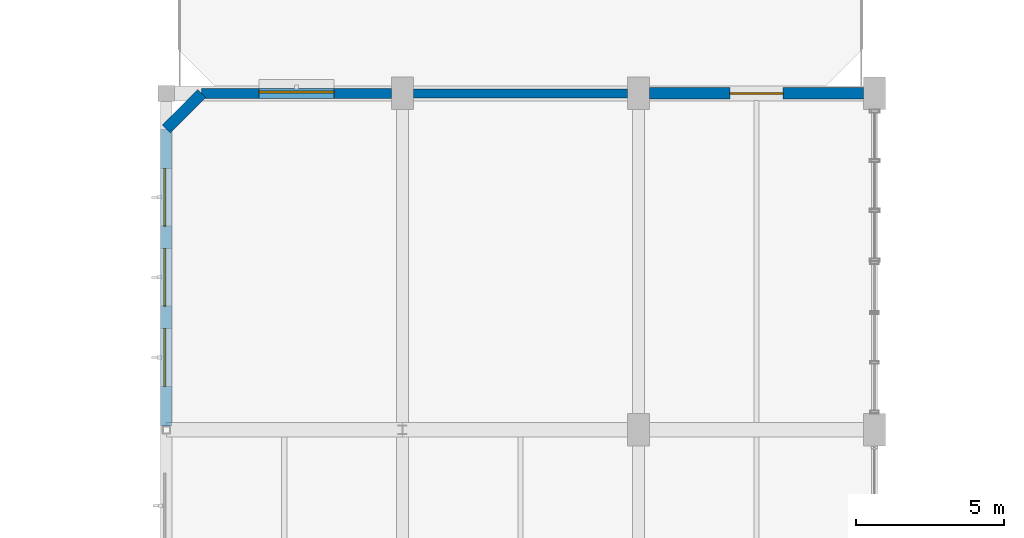
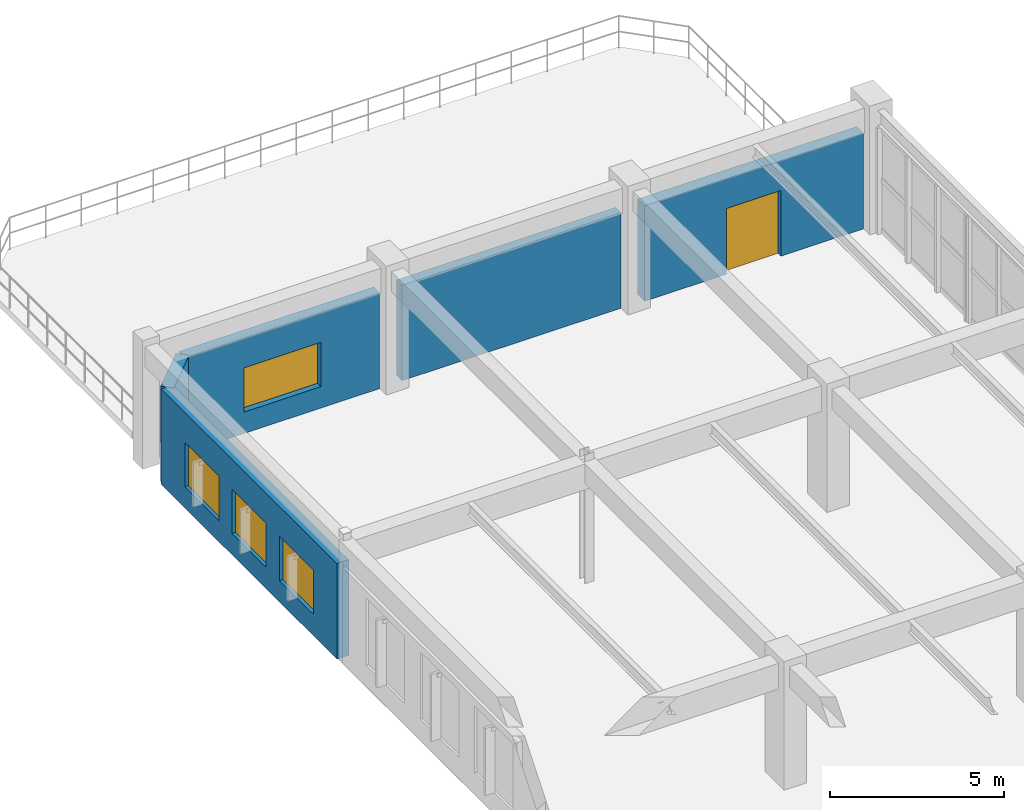
# One storey, part 68 of 80: 5 walls, 4 windows, 1 door, 5 openings.
"""IFC4 building model written with IfcOpenShell, lengths in metres."""

from ifc_helpers import new_model, si_unit, direction, frame, frame_2d, origin, place, context, subcontext, project, spatial, rectangle, extrude, material, layer, layer_set, type_object, element, fill, save


model = new_model("IFC4")

# Units and contexts
model_context = context("Model", 3, precision=1e-05, world=origin(), true_north=direction((0.0, 1.0)))
body_context = subcontext(model_context, "Body", "Model", "MODEL_VIEW")
ifc_project = project(units=[si_unit("LENGTHUNIT", "METRE"), si_unit("AREAUNIT", "SQUARE_METRE"), si_unit("VOLUMEUNIT", "CUBIC_METRE"), si_unit("PLANEANGLEUNIT", "RADIAN"), si_unit("MASSUNIT", "GRAM", prefix="KILO"), si_unit("POWERUNIT", "WATT"), si_unit("THERMODYNAMICTEMPERATUREUNIT", "KELVIN")], contexts=[model_context])

# Site, building, storey
site_placement = place(None, origin())
site = spatial("IfcSite", under=ifc_project, at=site_placement, CompositionType="ELEMENT")
building_placement = place(site_placement, origin())
building = spatial("IfcBuilding", under=site, at=building_placement, Name="Kelmbourne Parkland Aquatics Centre", CompositionType="ELEMENT")
storey_placement = place(building_placement, frame((0.0, 0.0, 10.199951171875)))
storey = spatial("IfcBuildingStorey", under=building, at=storey_placement, Name="L02", CompositionType="ELEMENT", Elevation=10.199951171875)

# Wall
ifc_material_1 = material(Name="Russet clinker clay brickwork", Category="masonry")
ifc_layer_1 = layer(ifc_material_1, 0.31005859375)
ifc_layer_set_1 = layer_set([ifc_layer_1], Name="Russet clinker clay brickwork")
wall_type_1 = type_object("IfcWallType", Name="W-EXT-310", PredefinedType="STANDARD", material=ifc_layer_set_1)
wall_1_placement = place(storey_placement, frame((24.376953125, 80.60009765625, 0.0), z_axis=(0.0, 0.0, 1.0), x_axis=(1.0, 0.0, 0.0)))
element("IfcWall", 1, at=wall_1_placement, inside=storey, type_object=wall_type_1, Name="Exterior polychrome brick wall EW-L02-107", PredefinedType="STANDARD", context=body_context, shape_type="SweptSolid", body=[
    extrude(rectangle(XDim=7.24609375, YDim=0.31005859375, at=frame_2d((3.623046875, 0.0))), origin(), (0.0, 0.0, 1.0), 3.344970703125),
])

# Wall, opening, window
ifc_material_2 = material(Name="Polychrome glazed brick header coursework", Category="masonry")
ifc_layer_2 = layer(ifc_material_2, 0.35009765625)
ifc_layer_set_2 = layer_set([ifc_layer_2], Name="Polychrome glazed brick header coursework")
wall_type_2 = type_object("IfcWallType", Name="W-EXT-350", PredefinedType="STANDARD", material=ifc_layer_set_2)
wall_2_placement = place(storey_placement, frame((17.199951171875, 80.60009765625, 0.0), z_axis=(0.0, 0.0, 1.0), x_axis=(1.0, 0.0, 0.0)))
wall_2 = element("IfcWall", 2, at=wall_2_placement, inside=storey, type_object=wall_type_2, Name="Exterior polychrome brick wall EW-L02-106", PredefinedType="STANDARD", context=body_context, shape_type="SweptSolid", body=[
    extrude(rectangle(XDim=6.423095703125, YDim=0.35009765625, at=frame_2d((3.21142578125, 0.0))), origin(), (0.0, 0.0, 1.0), 3.344970703125),
])
opening_1_placement = place(wall_2_placement, frame((1.9365234375, 0.0, 0.75)))
opening_1 = element("IfcOpeningElement", 3, at=opening_1_placement, cuts=wall_2, Name="Opening W24", PredefinedType="OPENING", context=body_context, shape_type="SweptSolid", body=[
    extrude(rectangle(XDim=2.550048828125, YDim=1.550048828125, at=frame_2d((1.27490234375, 0.77490234375))), frame((0.0, 0.18701171875, 0.0), z_axis=(0.0, -1.0, 0.0), x_axis=(1.0, 0.0, 0.0)), (0.0, 0.0, 1.0), 0.3740234375),
])
ifc_material_3 = material(Name="Thermally broken anodised aluminium window with low-e glass", Category="aluminium")
ifc_layer_3 = layer(ifc_material_3, 0.090087890625)
ifc_layer_set_3 = layer_set([ifc_layer_3], Name="Thermally broken anodised aluminium window with low-e glass")
window_type_1 = type_object("IfcWindowType", Name="WN-24", PartitioningType="TRIPLE_PANEL_VERTICAL", PredefinedType="WINDOW", material=ifc_layer_set_3)
window_1_placement = place(opening_1_placement, origin())
window_1 = element("IfcWindow", 4, at=window_1_placement, inside=storey, type_object=window_type_1, Name="Deep-reveal masonry window W24", OverallHeight=1.550048828125, OverallWidth=2.550048828125, PartitioningType="TRIPLE_PANEL_VERTICAL", PredefinedType="WINDOW", context=body_context, shape_type="SweptSolid", body=[
    extrude(rectangle(XDim=2.550048828125, YDim=1.550048828125, at=frame_2d((1.27490234375, 0.77490234375))), frame((0.0, 0.080078125, 0.0), z_axis=(0.0, -1.0, 0.0), x_axis=(1.0, 0.0, 0.0)), (0.0, 0.0, 1.0), 0.06005859375),
])
fill(opening_1, window_1)

# Wall, openings, windows
ifc_layer_4 = layer(ifc_material_1, 0.389892578125)
ifc_layer_set_4 = layer_set([ifc_layer_4], Name="Russet clinker clay brickwork")
wall_type_3 = type_object("IfcWallType", Name="W-EXT-390", PredefinedType="STANDARD", material=ifc_layer_set_4)
wall_3_placement = place(storey_placement, frame((16.0, 69.326904296875, 0.0), z_axis=(0.0, 0.0, 1.0), x_axis=(0.0, 1.0, 0.0)))
wall_3 = element("IfcWall", 5, at=wall_3_placement, inside=storey, type_object=wall_type_3, Name="Exterior polychrome brick wall EW-L02-105", PredefinedType="STANDARD", context=body_context, shape_type="SweptSolid", body=[
    extrude(rectangle(XDim=10.072998046875, YDim=0.389892578125, at=frame_2d((5.03662109375, 0.0))), origin(), (0.0, 0.0, 1.0), 3.344970703125),
])
opening_2_placement = place(wall_3_placement, frame((1.35009765625, 0.0, 0.75)))
opening_2 = element("IfcOpeningElement", 6, at=opening_2_placement, cuts=wall_3, Name="Opening W23", PredefinedType="OPENING", context=body_context, shape_type="SweptSolid", body=[
    extrude(rectangle(XDim=1.949951171875, YDim=1.550048828125, at=frame_2d((0.97509765625, 0.77490234375))), frame((0.0, 0.20703125, 0.0), z_axis=(0.0, -1.0, 0.0), x_axis=(1.0, 0.0, 0.0)), (0.0, 0.0, 1.0), 0.413818359375),
])
opening_3_placement = place(wall_3_placement, frame((4.0615234375, 0.0, 0.75)))
opening_3 = element("IfcOpeningElement", 7, at=opening_3_placement, cuts=wall_3, Name="Opening W23", PredefinedType="OPENING", context=body_context, shape_type="SweptSolid", body=[
    extrude(rectangle(XDim=1.949951171875, YDim=1.550048828125, at=frame_2d((0.97509765625, 0.77490234375))), frame((0.0, 0.20703125, 0.0), z_axis=(0.0, -1.0, 0.0), x_axis=(1.0, 0.0, 0.0)), (0.0, 0.0, 1.0), 0.413818359375),
])
opening_4_placement = place(wall_3_placement, frame((6.77294921875, 0.0, 0.75)))
opening_4 = element("IfcOpeningElement", 8, at=opening_4_placement, cuts=wall_3, Name="Opening W23", PredefinedType="OPENING", context=body_context, shape_type="SweptSolid", body=[
    extrude(rectangle(XDim=1.949951171875, YDim=1.550048828125, at=frame_2d((0.97509765625, 0.77490234375))), frame((0.0, 0.20703125, 0.0), z_axis=(0.0, -1.0, 0.0), x_axis=(1.0, 0.0, 0.0)), (0.0, 0.0, 1.0), 0.413818359375),
])
ifc_layer_5 = layer(ifc_material_3, 0.090087890625)
ifc_layer_set_5 = layer_set([ifc_layer_5], Name="Thermally broken anodised aluminium window with low-e glass")
window_type_2 = type_object("IfcWindowType", Name="WN-23", PartitioningType="DOUBLE_PANEL_VERTICAL", PredefinedType="WINDOW", material=ifc_layer_set_5)
window_2_placement = place(opening_2_placement, origin())
window_2 = element("IfcWindow", 9, at=window_2_placement, inside=storey, type_object=window_type_2, Name="Deep-reveal masonry window W23", OverallHeight=1.550048828125, OverallWidth=1.949951171875, PartitioningType="DOUBLE_PANEL_VERTICAL", PredefinedType="WINDOW", context=body_context, shape_type="SweptSolid", body=[
    extrude(rectangle(XDim=1.949951171875, YDim=1.550048828125, at=frame_2d((0.97509765625, 0.77490234375))), frame((0.0, 0.080078125, 0.0), z_axis=(0.0, -1.0, 0.0), x_axis=(1.0, 0.0, 0.0)), (0.0, 0.0, 1.0), 0.06005859375),
])
fill(opening_2, window_2)
window_3_placement = place(opening_3_placement, origin())
window_3 = element("IfcWindow", 10, at=window_3_placement, inside=storey, type_object=window_type_2, Name="Deep-reveal masonry window W23", OverallHeight=1.550048828125, OverallWidth=1.949951171875, PartitioningType="DOUBLE_PANEL_VERTICAL", PredefinedType="WINDOW", context=body_context, shape_type="SweptSolid", body=[
    extrude(rectangle(XDim=1.949951171875, YDim=1.550048828125, at=frame_2d((0.97509765625, 0.77490234375))), frame((0.0, 0.080078125, 0.0), z_axis=(0.0, -1.0, 0.0), x_axis=(1.0, 0.0, 0.0)), (0.0, 0.0, 1.0), 0.06005859375),
])
fill(opening_3, window_3)
window_4_placement = place(opening_4_placement, origin())
window_4 = element("IfcWindow", 11, at=window_4_placement, inside=storey, type_object=window_type_2, Name="Deep-reveal masonry window W23", OverallHeight=1.550048828125, OverallWidth=1.949951171875, PartitioningType="DOUBLE_PANEL_VERTICAL", PredefinedType="WINDOW", context=body_context, shape_type="SweptSolid", body=[
    extrude(rectangle(XDim=1.949951171875, YDim=1.550048828125, at=frame_2d((0.97509765625, 0.77490234375))), frame((0.0, 0.080078125, 0.0), z_axis=(0.0, -1.0, 0.0), x_axis=(1.0, 0.0, 0.0)), (0.0, 0.0, 1.0), 0.06005859375),
])
fill(opening_4, window_4)

# Wall, opening, door
wall_4_placement = place(storey_placement, frame((32.376953125, 80.60009765625, 0.0), z_axis=(0.0, 0.0, 1.0), x_axis=(1.0, 0.0, 0.0)))
wall_4 = element("IfcWall", 12, at=wall_4_placement, inside=storey, type_object=wall_type_3, Name="Exterior polychrome brick wall EW-L02-108", PredefinedType="STANDARD", context=body_context, shape_type="SweptSolid", body=[
    extrude(rectangle(XDim=7.24609375, YDim=0.389892578125, at=frame_2d((3.623046875, 0.0))), origin(), (0.0, 0.0, 1.0), 3.344970703125),
])
opening_5_placement = place(wall_4_placement, frame((2.722900390625, 0.0, 0.0)))
opening_5 = element("IfcOpeningElement", 13, at=opening_5_placement, cuts=wall_4, Name="Opening TRD1", PredefinedType="OPENING", context=body_context, shape_type="SweptSolid", body=[
    extrude(rectangle(XDim=1.800048828125, YDim=2.300048828125, at=frame_2d((0.89990234375, 1.14990234375))), frame((0.0, 0.20703125, 0.0), z_axis=(0.0, -1.0, 0.0), x_axis=(1.0, 0.0, 0.0)), (0.0, 0.0, 1.0), 0.413818359375),
])
ifc_material_4 = material(Name="Thermally broken anodised aluminium commercial door", Category="aluminium")
ifc_layer_6 = layer(ifc_material_4, 0.06005859375)
ifc_layer_set_6 = layer_set([ifc_layer_6], Name="Thermally broken anodised aluminium commercial door")
door_type = type_object("IfcDoorType", Name="DR-TER-180", OperationType="NOTDEFINED", PredefinedType="DOOR", material=ifc_layer_set_6)
door_placement = place(opening_5_placement, origin())
door = element("IfcDoor", 14, at=door_placement, inside=storey, type_object=door_type, Name="Walkable terrace access door EW-L02-108", OperationType="DOUBLE_DOOR_SINGLE_SWING", OverallHeight=2.300048828125, OverallWidth=1.800048828125, PredefinedType="DOOR", context=body_context, shape_type="SweptSolid", body=[
    extrude(rectangle(XDim=1.800048828125, YDim=2.300048828125, at=frame_2d((0.89990234375, 1.14990234375))), frame((0.0, 0.02490234375, 0.0), z_axis=(0.0, -1.0, 0.0), x_axis=(1.0, 0.0, 0.0)), (0.0, 0.0, 1.0), 0.050048828125),
])
fill(opening_5, door)

# Wall
wall_5_placement = place(storey_placement, frame((16.0, 79.39990234375, 0.0), z_axis=(0.0, 0.0, 1.0), x_axis=(0.707034851297, 0.707178703759, 0.0)))
element("IfcWall", 15, at=wall_5_placement, inside=storey, type_object=wall_type_3, Name="Stepped brick corner bevel CHAM-L02-NW", PredefinedType="STANDARD", context=body_context, shape_type="SweptSolid", body=[
    extrude(rectangle(XDim=1.697265625, YDim=0.389892578125, at=frame_2d((0.8486328125, 0.0))), origin(), (0.0, 0.0, 1.0), 3.344970703125),
])

save(model, "model.ifc")
